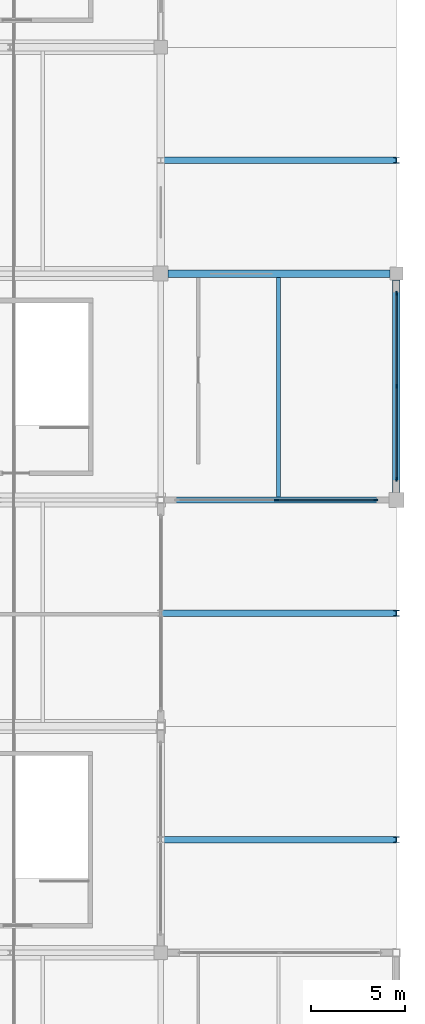
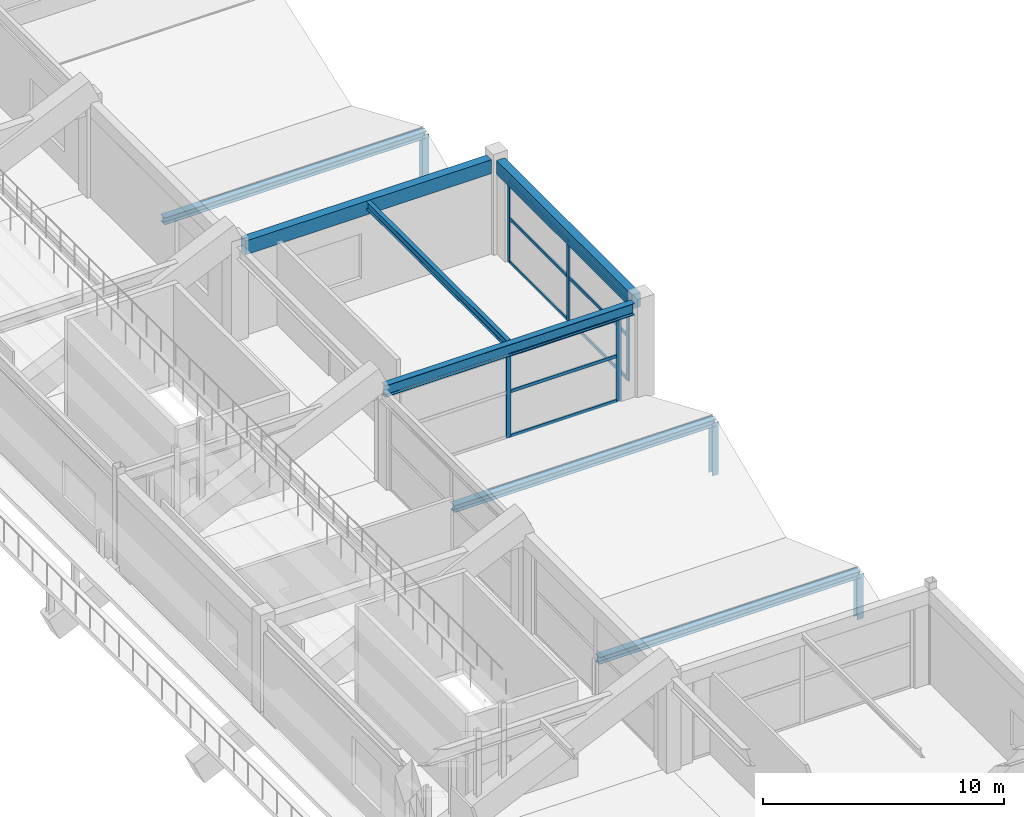
# One storey, part 60 of 128: 20 members, 4 beams, 2 elements without a shape of their own.
"""IFC4 building model written with IfcOpenShell, lengths in metres."""

from ifc_helpers import new_model, si_unit, direction, frame, origin, origin_2d, place, context, subcontext, project, spatial, rectangle, i_section, extrude, material, layer, layer_set, material_profile, profile_set, type_object, element, aggregate, save


model = new_model("IFC4")

# Units and contexts
model_context = context("Model", 3, precision=1e-05, world=origin(), true_north=direction((0.0, 1.0)))
body_context = subcontext(model_context, "Body", "Model", "MODEL_VIEW")
ifc_project = project(units=[si_unit("LENGTHUNIT", "METRE"), si_unit("AREAUNIT", "SQUARE_METRE"), si_unit("VOLUMEUNIT", "CUBIC_METRE"), si_unit("PLANEANGLEUNIT", "RADIAN"), si_unit("MASSUNIT", "GRAM", prefix="KILO")], contexts=[model_context])

# Site, building, storey
site_placement = place(None, origin())
site = spatial("IfcSite", under=ifc_project, at=site_placement, CompositionType="ELEMENT")
building_placement = place(site_placement, origin())
building = spatial("IfcBuilding", under=site, at=building_placement, Name="Kazenohara Klinker Stadium", CompositionType="ELEMENT")
storey_placement = place(building_placement, frame((0.0, 0.0, 15.300048828125)))
storey = spatial("IfcBuildingStorey", under=building, at=storey_placement, Name="L03", CompositionType="ELEMENT", Elevation=15.300048828125)

# Beams
ifc_material_1 = material(Name="Steel S355", Category="steel")
ifc_material_profile_1 = material_profile(ifc_material_1, i_section(OverallWidth=0.199951171875, OverallDepth=0.39990234375, WebThickness=0.008056640625, FlangeThickness=0.012939453125, FilletRadius=0.012939453125, at=origin_2d()), Name="H-400x200x8x13")
ifc_profile_set_1 = profile_set([ifc_material_profile_1], Name="Steel S355")
beam_type_1 = type_object("IfcBeamType", Name="BM-JST03", PredefinedType="JOIST", material=ifc_profile_set_1)
beam_1_placement = place(storey_placement, frame((193.75, 96.14990234375, 4.56005859375), z_axis=(0.0, 1.0, 0.0), x_axis=(-1.0, 0.0, 0.0)))
element("IfcBeam", 1, at=beam_1_placement, inside=storey, type_object=beam_type_1, Name="Secondary floor joist SJ03 L03 16/J", PredefinedType="JOIST", context=body_context, shape_type="SweptSolid", body=[
    extrude(i_section(OverallWidth=0.199951171875, OverallDepth=0.39990234375, WebThickness=0.008056640625, FlangeThickness=0.012939453125, FilletRadius=0.012939453125, at=origin_2d()), origin(), (0.0, 0.0, 1.0), 11.650146484375),
])
ifc_material_2 = material(Name="Concrete C40/50", Category="concrete")
ifc_material_profile_2 = material_profile(ifc_material_2, rectangle(XDim=0.39990234375, YDim=0.699951171875, at=origin_2d()), Name="RC-BM-400x700")
ifc_profile_set_2 = profile_set([ifc_material_profile_2], Name="Concrete C40/50")
beam_type_2 = type_object("IfcBeamType", Name="BM-RC04", PredefinedType="BEAM", material=ifc_profile_set_2)
beam_2_placement = place(storey_placement, frame((187.89990234375, 108.0, 4.409912109375), z_axis=(1.0, 0.0, 0.0), x_axis=(0.0, 1.0, 0.0)))
element("IfcBeam", 2, at=beam_2_placement, inside=storey, type_object=beam_type_2, Name="Primary girder BG04 L03 16-17/K", PredefinedType="BEAM", context=body_context, shape_type="SweptSolid", body=[
    extrude(rectangle(XDim=0.39990234375, YDim=0.699951171875, at=origin_2d()), origin(), (0.0, 0.0, 1.0), 11.75),
])
beam_3_placement = place(storey_placement, frame((200.0, 96.39990234375, 4.409912109375), z_axis=(0.0, 1.0, 0.0), x_axis=(-1.0, 0.0, 0.0)))
element("IfcBeam", 3, at=beam_3_placement, inside=storey, type_object=beam_type_2, Name="Primary girder BG04 L03 17/J-K", PredefinedType="BEAM", context=body_context, shape_type="SweptSolid", body=[
    extrude(rectangle(XDim=0.39990234375, YDim=0.699951171875, at=origin_2d()), origin(), (0.0, 0.0, 1.0), 11.25),
])
ifc_material_profile_3 = material_profile(ifc_material_1, i_section(OverallWidth=0.300048828125, OverallDepth=0.587890625, WebThickness=0.011962890625, FlangeThickness=0.02001953125, FilletRadius=0.02197265625, at=origin_2d()), Name="H-588x300x12x20")
ifc_profile_set_3 = profile_set([ifc_material_profile_3], Name="Steel S355")
beam_type_3 = type_object("IfcBeamType", Name="BM-ST05", PredefinedType="BEAM", material=ifc_profile_set_3)
beam_4_placement = place(storey_placement, frame((187.675048828125, 96.0, 4.466064453125), z_axis=(1.0, 0.0, 0.0), x_axis=(0.0, 1.0, 0.0)))
element("IfcBeam", 4, at=beam_4_placement, inside=storey, type_object=beam_type_3, Name="Primary girder SB05 L03 16-17/J", PredefinedType="BEAM", context=body_context, shape_type="SweptSolid", body=[
    extrude(i_section(OverallWidth=0.300048828125, OverallDepth=0.587890625, WebThickness=0.011962890625, FlangeThickness=0.02001953125, FilletRadius=0.02197265625, at=origin_2d()), origin(), (0.0, 0.0, 1.0), 11.925048828125),
])

# Curtain wall, members
ifc_material_3 = material(Name="Anodised aluminium and triple glazing", Category="aluminium")
ifc_layer_1 = layer(ifc_material_3, 0.179931640625)
ifc_layer_set_1 = layer_set([ifc_layer_1], Name="Anodised aluminium and triple glazing")
curtain_wall_type_1 = type_object("IfcCurtainWallType", Name="CW-SYS-02", PredefinedType="USERDEFINED", material=ifc_layer_set_1)
curtain_wall_1_placement = place(storey_placement, origin())
curtain_wall_1 = element("IfcCurtainWall", 5, at=curtain_wall_1_placement, inside=storey, type_object=curtain_wall_type_1, Name="Unitised facade curtain wall CW02 L03 X15-8", ObjectType="UNITISED CURTAIN WALL", PredefinedType="USERDEFINED")
ifc_material_4 = material(Name="Anodised aluminium 6063-T6", Category="aluminium")
ifc_material_profile_4 = material_profile(ifc_material_4, rectangle(XDim=0.074951171875, YDim=0.219970703125, at=origin_2d()), Name="ALU-MUL-75x220")
ifc_profile_set_4 = profile_set([ifc_material_profile_4], Name="Anodised aluminium 6063-T6")
member_type_1 = type_object("IfcMemberType", Name="CW-MUL-220", PredefinedType="MULLION", material=ifc_profile_set_4)
member_1_placement = place(storey_placement, frame((193.637451171875, 96.0, 0.0), z_axis=(0.0, 0.0, 1.0), x_axis=(0.0, 1.0, 0.0)))
member_1 = element("IfcMember", 6, at=member_1_placement, type_object=member_type_1, Name="CW02 mullion 2", PredefinedType="MULLION", context=body_context, shape_type="SweptSolid", body=[
    extrude(rectangle(XDim=0.074951171875, YDim=0.219970703125, at=origin_2d()), origin(), (0.0, 0.0, 1.0), 4.171875),
])
member_2_placement = place(storey_placement, frame((198.908447265625, 96.0, 0.0), z_axis=(0.0, 0.0, 1.0), x_axis=(0.0, 1.0, 0.0)))
member_2 = element("IfcMember", 7, at=member_2_placement, type_object=member_type_1, Name="CW02 mullion 3", PredefinedType="MULLION", context=body_context, shape_type="SweptSolid", body=[
    extrude(rectangle(XDim=0.074951171875, YDim=0.219970703125, at=origin_2d()), origin(), (0.0, 0.0, 1.0), 4.171875),
])

ifc_layer_2 = layer(ifc_material_3, 0.199951171875)
ifc_layer_set_2 = layer_set([ifc_layer_2], Name="Anodised aluminium and triple glazing")
curtain_wall_type_2 = type_object("IfcCurtainWallType", Name="CW-SYS-03", PredefinedType="USERDEFINED", material=ifc_layer_set_2)
curtain_wall_2_placement = place(storey_placement, origin())
curtain_wall_2 = element("IfcCurtainWall", 8, at=curtain_wall_2_placement, inside=storey, type_object=curtain_wall_type_2, Name="Unitised facade curtain wall CW03 L03 Y16-8", ObjectType="UNITISED CURTAIN WALL", PredefinedType="USERDEFINED")
member_3_placement = place(storey_placement, frame((200.0, 97.091552734375, 0.0), z_axis=(0.0, 0.0, 1.0), x_axis=(-1.0, 0.0, 0.0)))
member_3 = element("IfcMember", 9, at=member_3_placement, type_object=member_type_1, Name="CW03 mullion 1", PredefinedType="MULLION", context=body_context, shape_type="SweptSolid", body=[
    extrude(rectangle(XDim=0.074951171875, YDim=0.219970703125, at=origin_2d()), origin(), (0.0, 0.0, 1.0), 4.06005859375),
])
member_4_placement = place(storey_placement, frame((200.0, 102.02490234375, 0.0), z_axis=(0.0, 0.0, 1.0), x_axis=(-1.0, 0.0, 0.0)))
member_4 = element("IfcMember", 10, at=member_4_placement, type_object=member_type_1, Name="CW03 mullion 2", PredefinedType="MULLION", context=body_context, shape_type="SweptSolid", body=[
    extrude(rectangle(XDim=0.074951171875, YDim=0.219970703125, at=origin_2d()), origin(), (0.0, 0.0, 1.0), 4.06005859375),
])
member_5_placement = place(storey_placement, frame((200.0, 106.95849609375, 0.0), z_axis=(0.0, 0.0, 1.0), x_axis=(-1.0, 0.0, 0.0)))
member_5 = element("IfcMember", 11, at=member_5_placement, type_object=member_type_1, Name="CW03 mullion 3", PredefinedType="MULLION", context=body_context, shape_type="SweptSolid", body=[
    extrude(rectangle(XDim=0.074951171875, YDim=0.219970703125, at=origin_2d()), origin(), (0.0, 0.0, 1.0), 4.06005859375),
])

# Member
ifc_material_profile_5 = material_profile(ifc_material_4, rectangle(XDim=0.074951171875, YDim=0.159912109375, at=origin_2d()), Name="ALU-TRN-75x160")
ifc_profile_set_5 = profile_set([ifc_material_profile_5], Name="Anodised aluminium 6063-T6")
member_type_2 = type_object("IfcMemberType", Name="CW-TRN-160", PredefinedType="USERDEFINED", material=ifc_profile_set_5)
member_6_placement = place(storey_placement, frame((193.675048828125, 96.0, 0.037353515625), z_axis=(1.0, 0.0, 0.0), x_axis=(0.0, 1.0, 0.0)))
member_6 = element("IfcMember", 12, at=member_6_placement, type_object=member_type_2, Name="CW02 transom 2.1", ObjectType="TRANSOM", PredefinedType="USERDEFINED", context=body_context, shape_type="SweptSolid", body=[
    extrude(rectangle(XDim=0.074951171875, YDim=0.159912109375, at=origin_2d()), origin(), (0.0, 0.0, 1.0), 5.196044921875),
])

member_7_placement = place(storey_placement, frame((193.675048828125, 96.0, 2.29443359375), z_axis=(1.0, 0.0, 0.0), x_axis=(0.0, 1.0, 0.0)))
member_7 = element("IfcMember", 13, at=member_7_placement, type_object=member_type_2, Name="CW02 transom 2.2", ObjectType="TRANSOM", PredefinedType="USERDEFINED", context=body_context, shape_type="SweptSolid", body=[
    extrude(rectangle(XDim=0.074951171875, YDim=0.159912109375, at=origin_2d()), origin(), (0.0, 0.0, 1.0), 5.196044921875),
])

member_8_placement = place(storey_placement, frame((193.675048828125, 96.0, 4.134521484375), z_axis=(1.0, 0.0, 0.0), x_axis=(0.0, 1.0, 0.0)))
member_8 = element("IfcMember", 14, at=member_8_placement, type_object=member_type_2, Name="CW02 transom 2.3", ObjectType="TRANSOM", PredefinedType="USERDEFINED", context=body_context, shape_type="SweptSolid", body=[
    extrude(rectangle(XDim=0.074951171875, YDim=0.159912109375, at=origin_2d()), origin(), (0.0, 0.0, 1.0), 5.196044921875),
])

aggregate(curtain_wall_1, [member_1, member_2, member_6, member_7, member_8])

member_9_placement = place(storey_placement, frame((200.0, 97.12890625, 0.037353515625), z_axis=(0.0, 1.0, 0.0), x_axis=(-1.0, 0.0, 0.0)))
member_9 = element("IfcMember", 15, at=member_9_placement, type_object=member_type_2, Name="CW03 transom 1.1", ObjectType="TRANSOM", PredefinedType="USERDEFINED", context=body_context, shape_type="SweptSolid", body=[
    extrude(rectangle(XDim=0.074951171875, YDim=0.159912109375, at=origin_2d()), origin(), (0.0, 0.0, 1.0), 4.858642578125),
])

member_10_placement = place(storey_placement, frame((200.0, 97.12890625, 2.23291015625), z_axis=(0.0, 1.0, 0.0), x_axis=(-1.0, 0.0, 0.0)))
member_10 = element("IfcMember", 16, at=member_10_placement, type_object=member_type_2, Name="CW03 transom 1.2", ObjectType="TRANSOM", PredefinedType="USERDEFINED", context=body_context, shape_type="SweptSolid", body=[
    extrude(rectangle(XDim=0.074951171875, YDim=0.159912109375, at=origin_2d()), origin(), (0.0, 0.0, 1.0), 4.858642578125),
])

member_11_placement = place(storey_placement, frame((200.0, 97.12890625, 4.0224609375), z_axis=(0.0, 1.0, 0.0), x_axis=(-1.0, 0.0, 0.0)))
member_11 = element("IfcMember", 17, at=member_11_placement, type_object=member_type_2, Name="CW03 transom 1.3", ObjectType="TRANSOM", PredefinedType="USERDEFINED", context=body_context, shape_type="SweptSolid", body=[
    extrude(rectangle(XDim=0.074951171875, YDim=0.159912109375, at=origin_2d()), origin(), (0.0, 0.0, 1.0), 4.858642578125),
])

member_12_placement = place(storey_placement, frame((200.0, 102.0625, 0.037353515625), z_axis=(0.0, 1.0, 0.0), x_axis=(-1.0, 0.0, 0.0)))
member_12 = element("IfcMember", 18, at=member_12_placement, type_object=member_type_2, Name="CW03 transom 2.1", ObjectType="TRANSOM", PredefinedType="USERDEFINED", context=body_context, shape_type="SweptSolid", body=[
    extrude(rectangle(XDim=0.074951171875, YDim=0.159912109375, at=origin_2d()), origin(), (0.0, 0.0, 1.0), 4.8583984375),
])

member_13_placement = place(storey_placement, frame((200.0, 102.0625, 2.23291015625), z_axis=(0.0, 1.0, 0.0), x_axis=(-1.0, 0.0, 0.0)))
member_13 = element("IfcMember", 19, at=member_13_placement, type_object=member_type_2, Name="CW03 transom 2.2", ObjectType="TRANSOM", PredefinedType="USERDEFINED", context=body_context, shape_type="SweptSolid", body=[
    extrude(rectangle(XDim=0.074951171875, YDim=0.159912109375, at=origin_2d()), origin(), (0.0, 0.0, 1.0), 4.8583984375),
])

member_14_placement = place(storey_placement, frame((200.0, 102.0625, 4.0224609375), z_axis=(0.0, 1.0, 0.0), x_axis=(-1.0, 0.0, 0.0)))
member_14 = element("IfcMember", 20, at=member_14_placement, type_object=member_type_2, Name="CW03 transom 2.3", ObjectType="TRANSOM", PredefinedType="USERDEFINED", context=body_context, shape_type="SweptSolid", body=[
    extrude(rectangle(XDim=0.074951171875, YDim=0.159912109375, at=origin_2d()), origin(), (0.0, 0.0, 1.0), 4.8583984375),
])

aggregate(curtain_wall_2, [member_3, member_4, member_5, member_9, member_10, member_11, member_12, member_13, member_14])

# Members
ifc_material_profile_6 = material_profile(ifc_material_1, i_section(OverallWidth=0.35009765625, OverallDepth=0.35009765625, WebThickness=0.011962890625, FlangeThickness=0.01904296875, FilletRadius=0.012939453125, at=origin_2d()), Name="H-350x350x12x19")
ifc_profile_set_6 = profile_set([ifc_material_profile_6], Name="Steel S355")
member_type_3 = type_object("IfcMemberType", Name="MEM-CHD02", PredefinedType="CHORD", material=ifc_profile_set_6)
for number, where, z_axis, x_axis, name in (
    (21, (187.5, 78.0, 1.829833984375), (1.0, 0.0, 0.0), (0.0, 1.0, 0.0), "Stepped pavilion gable ridge beam L03 16/G"),
    (22, (187.5, 90.0, 2.22998046875), (1.0, 0.0, 0.0), (0.0, 1.0, 0.0), "Stepped pavilion gable ridge beam L03 16/H"),
    (23, (187.5, 114.0, 2.22998046875), (1.0, 0.0, 0.0), (0.0, 1.0, 0.0), "Stepped pavilion gable ridge beam L03 16/K"),
):
    element("IfcMember", number, at=place(storey_placement, frame(where, z_axis=z_axis, x_axis=x_axis)), inside=storey, type_object=member_type_3, Name=name, PredefinedType="CHORD", context=body_context, shape_type="SweptSolid", body=[
        extrude(i_section(OverallWidth=0.35009765625, OverallDepth=0.35009765625, WebThickness=0.011962890625, FlangeThickness=0.01904296875, FilletRadius=0.012939453125, at=origin_2d()), origin(), (0.0, 0.0, 1.0), 12.5),
    ])
ifc_material_profile_7 = material_profile(ifc_material_1, i_section(OverallWidth=0.300048828125, OverallDepth=0.300048828125, WebThickness=0.010009765625, FlangeThickness=0.014892578125, FilletRadius=0.012939453125, at=origin_2d()), Name="H-300x300x10x15")
ifc_profile_set_7 = profile_set([ifc_material_profile_7], Name="Steel S355")
member_type_4 = type_object("IfcMemberType", Name="MEM-STR01", PredefinedType="STRUT", material=ifc_profile_set_7)
member_15_placement = place(storey_placement, frame((200.0, 78.0, -0.429931640625), z_axis=(0.0, 0.0, 1.0), x_axis=(1.0, 0.0, 0.0)))
element("IfcMember", 24, at=member_15_placement, inside=storey, type_object=member_type_4, Name="Stepped pavilion gable king-post L03 16/G E", PredefinedType="STRUT", context=body_context, shape_type="SweptSolid", body=[
    extrude(i_section(OverallWidth=0.300048828125, OverallDepth=0.300048828125, WebThickness=0.010009765625, FlangeThickness=0.014892578125, FilletRadius=0.012939453125, at=origin_2d()), origin(), (0.0, 0.0, 1.0), 2.259765625),
])
for number, where, z_axis, x_axis, name in (
    (25, (200.0, 90.0, -0.429931640625), (0.0, 0.0, 1.0), (1.0, 0.0, 0.0), "Stepped pavilion gable king-post L03 16/H E"),
    (26, (200.0, 114.0, -0.429931640625), (0.0, 0.0, 1.0), (1.0, 0.0, 0.0), "Stepped pavilion gable king-post L03 16/K E"),
):
    element("IfcMember", number, at=place(storey_placement, frame(where, z_axis=z_axis, x_axis=x_axis)), inside=storey, type_object=member_type_4, Name=name, PredefinedType="STRUT", context=body_context, shape_type="SweptSolid", body=[
        extrude(i_section(OverallWidth=0.300048828125, OverallDepth=0.300048828125, WebThickness=0.010009765625, FlangeThickness=0.014892578125, FilletRadius=0.012939453125, at=origin_2d()), origin(), (0.0, 0.0, 1.0), 2.659912109375),
    ])

save(model, "model.ifc")
